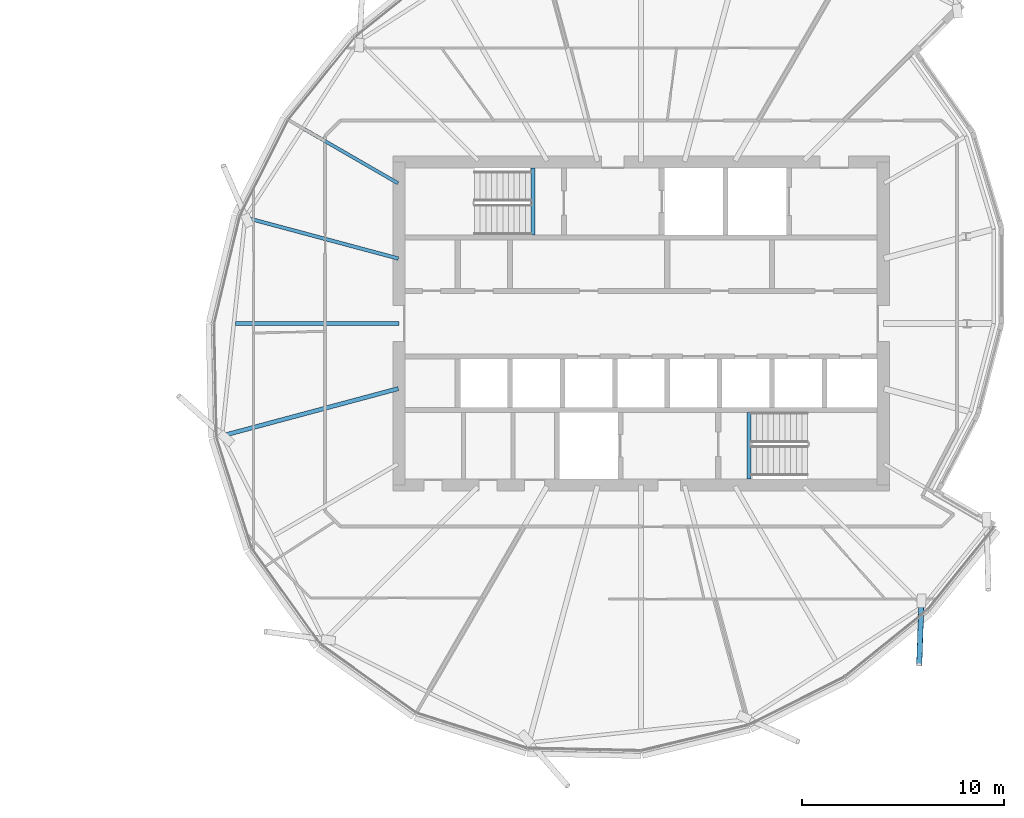
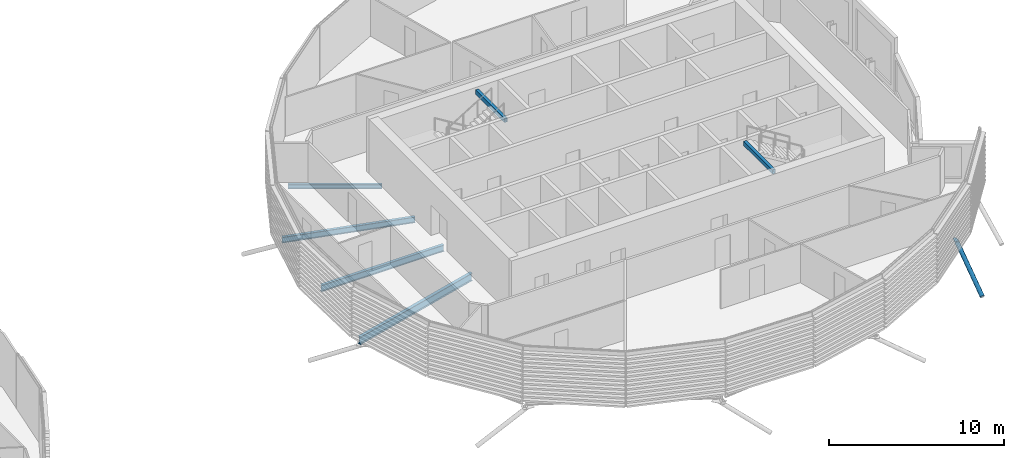
# One storey, part 14 of 37: 6 beams, 1 member.
"""IFC4 building model written with IfcOpenShell, lengths in metres."""

from ifc_helpers import new_model, si_unit, direction, frame, origin, origin_2d, place, context, subcontext, project, spatial, hollow_rectangle, hollow_circle, i_section, extrude, clip, halfspace, material, material_profile, profile_set, type_object, element, save


model = new_model("IFC4")

# Units and contexts
model_context = context("Model", 3, precision=1e-05, world=origin(), true_north=direction((0.0, 1.0)))
body_context = subcontext(model_context, "Body", "Model", "MODEL_VIEW")
ifc_project = project(units=[si_unit("LENGTHUNIT", "METRE"), si_unit("AREAUNIT", "SQUARE_METRE"), si_unit("VOLUMEUNIT", "CUBIC_METRE"), si_unit("PLANEANGLEUNIT", "RADIAN"), si_unit("MASSUNIT", "GRAM", prefix="KILO")], contexts=[model_context])

# Site, building, storey
site_placement = place(None, origin())
site = spatial("IfcSite", under=ifc_project, at=site_placement, CompositionType="ELEMENT")
building_placement = place(site_placement, origin())
building = spatial("IfcBuilding", under=site, at=building_placement, Name="Rimbun Link Towers", CompositionType="ELEMENT")
storey_placement = place(building_placement, frame((0.0, 0.0, 166.5)))
storey = spatial("IfcBuildingStorey", under=building, at=storey_placement, Name="L40", CompositionType="ELEMENT", Elevation=166.5)

# Member
ifc_material_1 = material(Name="Steel S355J2H", Category="steel")
ifc_material_profile_1 = material_profile(ifc_material_1, hollow_circle(Radius=0.136474609375, WallThickness=0.012451171875, at=origin_2d()), Name="CHS 273x12.5")
ifc_profile_set_1 = profile_set([ifc_material_profile_1], Name="Steel S355J2H")
member_type = type_object("IfcMemberType", Name="Floor edge link CHS 273x12.5", PredefinedType="BRACE", material=ifc_profile_set_1)
member_placement = place(storey_placement, frame((45.6376953125, -13.8876953125, -0.719482421875), z_axis=(-0.029635297403, -0.84910971609, -0.527384526877), x_axis=(0.999391494628, -0.034880373648, 0.0)))
element("IfcMember", 1, at=member_placement, inside=storey, type_object=member_type, Name="Floor edge link T2 L40 18", PredefinedType="BRACE", context=body_context, shape_type="Clipping", body=[
    clip(extrude(hollow_circle(Radius=0.136474609375, WallThickness=0.012451171875, at=origin_2d()), frame((0.0, 0.0, -0.458740234375)), (0.0, 0.0, 1.0), 4.009521484375), halfspace(frame((0.0, 0.0, -0.21630859375), z_axis=(0.0, 0.849626718512, -0.527384526877)), False)),
])

# Beams
ifc_material_2 = material(Name="Steel S355J2", Category="steel")
ifc_material_profile_2 = material_profile(ifc_material_2, hollow_rectangle(XDim=0.199951171875, YDim=0.300048828125, WallThickness=0.011962890625, at=origin_2d()), Name="BOX 300x200x12")
ifc_profile_set_2 = profile_set([ifc_material_profile_2], Name="Steel S355J2")
beam_type_1 = type_object("IfcBeamType", Name="Stair trimmer beam BOX 300x200x12", PredefinedType="BEAM", material=ifc_profile_set_2)
for number, where, z_axis, x_axis, name in (
    (2, (26.39990234375, 7.699951171875, 3.5), (0.0, -1.0, 0.0), (1.0, 0.0, 0.0), "L40 ST3 stair beam 1"),
    (3, (37.10009765625, -7.699951171875, 3.5), (0.0, 1.0, 0.0), (-1.0, 0.0, 0.0), "L40 ST4 stair beam 1"),
):
    element("IfcBeam", number, at=place(storey_placement, frame(where, z_axis=z_axis, x_axis=x_axis)), inside=storey, type_object=beam_type_1, Name=name, PredefinedType="BEAM", context=body_context, shape_type="SweptSolid", body=[
        extrude(hollow_rectangle(XDim=0.199951171875, YDim=0.300048828125, WallThickness=0.011962890625, at=origin_2d()), origin(), (0.0, 0.0, 1.0), 3.300048828125),
    ])
ifc_material_3 = material(Name="Steel S355J2", Category="steel")
ifc_material_profile_3 = material_profile(ifc_material_3, i_section(OverallWidth=0.1650390625, OverallDepth=0.303466796875, WebThickness=0.006103515625, FlangeThickness=0.01025390625, at=origin_2d()), Name="UB 305x165x40")
ifc_profile_set_3 = profile_set([ifc_material_profile_3], Name="Steel S355J2")
beam_type_2 = type_object("IfcBeamType", Name="UB 305x165x40", PredefinedType="BEAM", material=ifc_profile_set_3)
beam_1_placement = place(storey_placement, frame((19.7080078125, 6.952392578125, -0.3017578125), z_axis=(-0.86601800529, 0.500012814349, 0.0), x_axis=(-0.500012814349, -0.86601800529, 0.0)))
element("IfcBeam", 4, at=beam_1_placement, inside=storey, type_object=beam_type_2, Name="Radial beam T2 L40 07", PredefinedType="BEAM", context=body_context, shape_type="SweptSolid", body=[
    extrude(i_section(OverallWidth=0.1650390625, OverallDepth=0.303466796875, WebThickness=0.006103515625, FlangeThickness=0.01025390625, at=origin_2d()), origin(), (0.0, 0.0, 1.0), 5.361572265625),
])
ifc_material_4 = material(Name="Steel S355J2", Category="steel")
ifc_material_profile_4 = material_profile(ifc_material_4, i_section(OverallWidth=0.177978515625, OverallDepth=0.406494140625, WebThickness=0.0078125, FlangeThickness=0.0126953125, at=origin_2d()), Name="UB 406x178x60")
ifc_profile_set_4 = profile_set([ifc_material_profile_4], Name="Steel S355J2")
beam_type_3 = type_object("IfcBeamType", Name="UB 406x178x60", PredefinedType="BEAM", material=ifc_profile_set_4)
beam_2_placement = place(storey_placement, frame((19.72607421875, 3.2216796875, -0.353271484375), z_axis=(-0.96591753434, 0.258849989096, 0.0), x_axis=(-0.258849989096, -0.96591753434, 0.0)))
element("IfcBeam", 5, at=beam_2_placement, inside=storey, type_object=beam_type_3, Name="Radial beam T2 L40 08", PredefinedType="BEAM", context=body_context, shape_type="SweptSolid", body=[
    extrude(i_section(OverallWidth=0.177978515625, OverallDepth=0.406494140625, WebThickness=0.0078125, FlangeThickness=0.0126953125, at=origin_2d()), origin(), (0.0, 0.0, 1.0), 7.856689453125),
])
ifc_material_5 = material(Name="Steel S355J2", Category="steel")
ifc_material_profile_5 = material_profile(ifc_material_5, i_section(OverallWidth=0.18994140625, OverallDepth=0.453369140625, WebThickness=0.008544921875, FlangeThickness=0.0126953125, at=origin_2d()), Name="UB 457x191x67")
ifc_profile_set_5 = profile_set([ifc_material_profile_5], Name="Steel S355J2")
beam_type_4 = type_object("IfcBeamType", Name="UB 457x191x67", PredefinedType="BEAM", material=ifc_profile_set_5)
beam_3_placement = place(storey_placement, frame((19.7490234375, 0.0, -0.376708984375), z_axis=(-1.0, 0.0, 0.0), x_axis=(0.0, -1.0, 0.0)))
element("IfcBeam", 6, at=beam_3_placement, inside=storey, type_object=beam_type_4, Name="Radial beam T2 L40 09", PredefinedType="BEAM", context=body_context, shape_type="SweptSolid", body=[
    extrude(i_section(OverallWidth=0.18994140625, OverallDepth=0.453369140625, WebThickness=0.008544921875, FlangeThickness=0.0126953125, at=origin_2d()), origin(), (0.0, 0.0, 1.0), 8.0810546875),
])
ifc_material_6 = material(Name="Steel S355J2", Category="steel")
ifc_material_profile_6 = material_profile(ifc_material_6, i_section(OverallWidth=0.209228515625, OverallDepth=0.533203125, WebThickness=0.010009765625, FlangeThickness=0.015625, at=origin_2d()), Name="UB 533x210x92")
ifc_profile_set_6 = profile_set([ifc_material_profile_6], Name="Steel S355J2")
beam_type_5 = type_object("IfcBeamType", Name="UB 533x210x92", PredefinedType="BEAM", material=ifc_profile_set_6)
beam_4_placement = place(storey_placement, frame((19.721923828125, -3.222900390625, -0.41650390625), z_axis=(-0.965924677785, -0.258823331339, 0.0), x_axis=(0.258823331339, -0.965924677785, 0.0)))
element("IfcBeam", 7, at=beam_4_placement, inside=storey, type_object=beam_type_5, Name="Radial beam T2 L40 10", PredefinedType="BEAM", context=body_context, shape_type="SweptSolid", body=[
    extrude(i_section(OverallWidth=0.209228515625, OverallDepth=0.533203125, WebThickness=0.010009765625, FlangeThickness=0.015625, at=origin_2d()), origin(), (0.0, 0.0, 1.0), 9.044921875),
])

save(model, "model.ifc")
